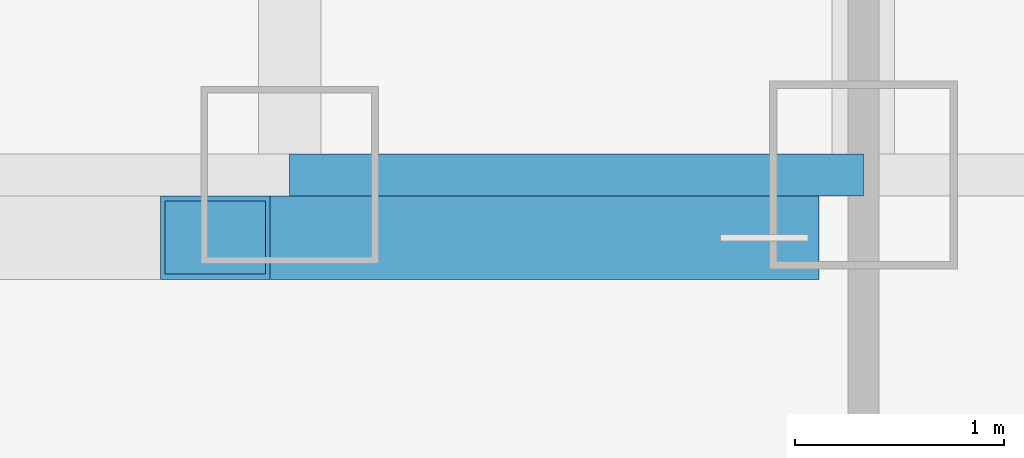
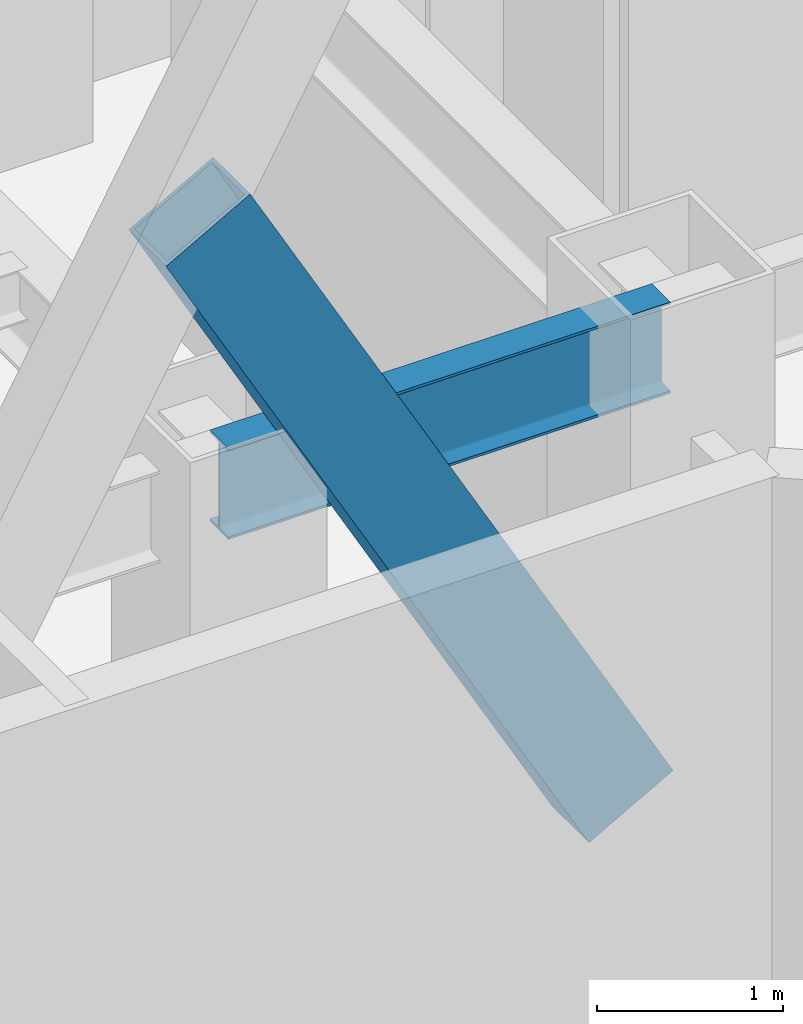
# One storey, part 3 of 29: 1 beam, 1 member.
"""IFC4 building model written with IfcOpenShell, lengths in metres."""

from ifc_helpers import new_model, si_unit, direction, frame, origin, origin_2d, place, context, subcontext, project, spatial, hollow_rectangle, i_section, extrude, material, material_profile, profile_set, type_object, element, save


model = new_model("IFC4")

# Units and contexts
model_context = context("Model", 3, precision=1e-05, world=origin(), true_north=direction((0.0, 1.0)))
body_context = subcontext(model_context, "Body", "Model", "MODEL_VIEW")
ifc_project = project(units=[si_unit("LENGTHUNIT", "METRE"), si_unit("AREAUNIT", "SQUARE_METRE"), si_unit("VOLUMEUNIT", "CUBIC_METRE"), si_unit("PLANEANGLEUNIT", "RADIAN"), si_unit("MASSUNIT", "GRAM", prefix="KILO")], contexts=[model_context])

# Site, building, storey
site_placement = place(None, origin())
site = spatial("IfcSite", under=ifc_project, at=site_placement, CompositionType="ELEMENT")
building_placement = place(site_placement, origin())
building = spatial("IfcBuilding", under=site, at=building_placement, Name="Hatsunagi Terrace Concourse", CompositionType="ELEMENT")
storey_placement = place(building_placement, frame((0.0, 0.0, 108.449951171875)))
storey = spatial("IfcBuildingStorey", under=building, at=storey_placement, Name="L28", CompositionType="ELEMENT", Elevation=108.449951171875)

# Beam
ifc_material_1 = material(Name="Steel SN490B", Category="steel")
ifc_material_profile_1 = material_profile(ifc_material_1, i_section(OverallWidth=0.199951171875, OverallDepth=0.60009765625, WebThickness=0.010986328125, FlangeThickness=0.01708984375, FilletRadius=0.01806640625, at=origin_2d()), Name="H-600x200x11x17")
ifc_profile_set_1 = profile_set([ifc_material_profile_1], Name="Steel SN490B")
beam_type = type_object("IfcBeamType", Name="PerimeterSpandrel_H_600x200", PredefinedType="SPANDREL", material=ifc_profile_set_1)
beam_placement = place(storey_placement, frame((22.800048828125, 25.199951171875, 3.050048828125), z_axis=(1.0, 0.0, 0.0), x_axis=(0.0, 1.0, 0.0)))
element("IfcBeam", 1, at=beam_placement, inside=storey, type_object=beam_type, Name="Beam SP-01 BM-L28-WS-22", PredefinedType="SPANDREL", context=body_context, shape_type="SweptSolid", body=[
    extrude(i_section(OverallWidth=0.199951171875, OverallDepth=0.60009765625, WebThickness=0.010986328125, FlangeThickness=0.01708984375, FilletRadius=0.01806640625, at=origin_2d()), origin(), (0.0, 0.0, 1.0), 2.75),
])

# Member
ifc_material_2 = material(Name="Steel SN490B", Category="steel")
ifc_material_profile_2 = material_profile(ifc_material_2, hollow_rectangle(XDim=0.39990234375, YDim=0.60009765625, WallThickness=0.02490234375, at=origin_2d()), Name="RHS-600x400x25")
ifc_profile_set_2 = profile_set([ifc_material_profile_2], Name="Steel SN490B")
member_type = type_object("IfcMemberType", Name="PerimeterXBrace_Mid_RHS_600x400x25", PredefinedType="BRACE", material=ifc_profile_set_2)
member_placement = place(storey_placement, frame((22.443115234375, 24.89990234375, 5.153076171875), z_axis=(0.48754257962, 0.0, -0.873099211463), x_axis=(0.0, 1.0, 0.0)))
element("IfcMember", 2, at=member_placement, inside=storey, type_object=member_type, Name="Perimeter X-Brace Split Lower XB-02 XB-L28-W1B2", PredefinedType="BRACE", context=body_context, shape_type="SweptSolid", body=[
    extrude(hollow_rectangle(XDim=0.39990234375, YDim=0.60009765625, WallThickness=0.02490234375, at=origin_2d()), origin(), (0.0, 0.0, 1.0), 5.398193359375),
])

save(model, "model.ifc")
